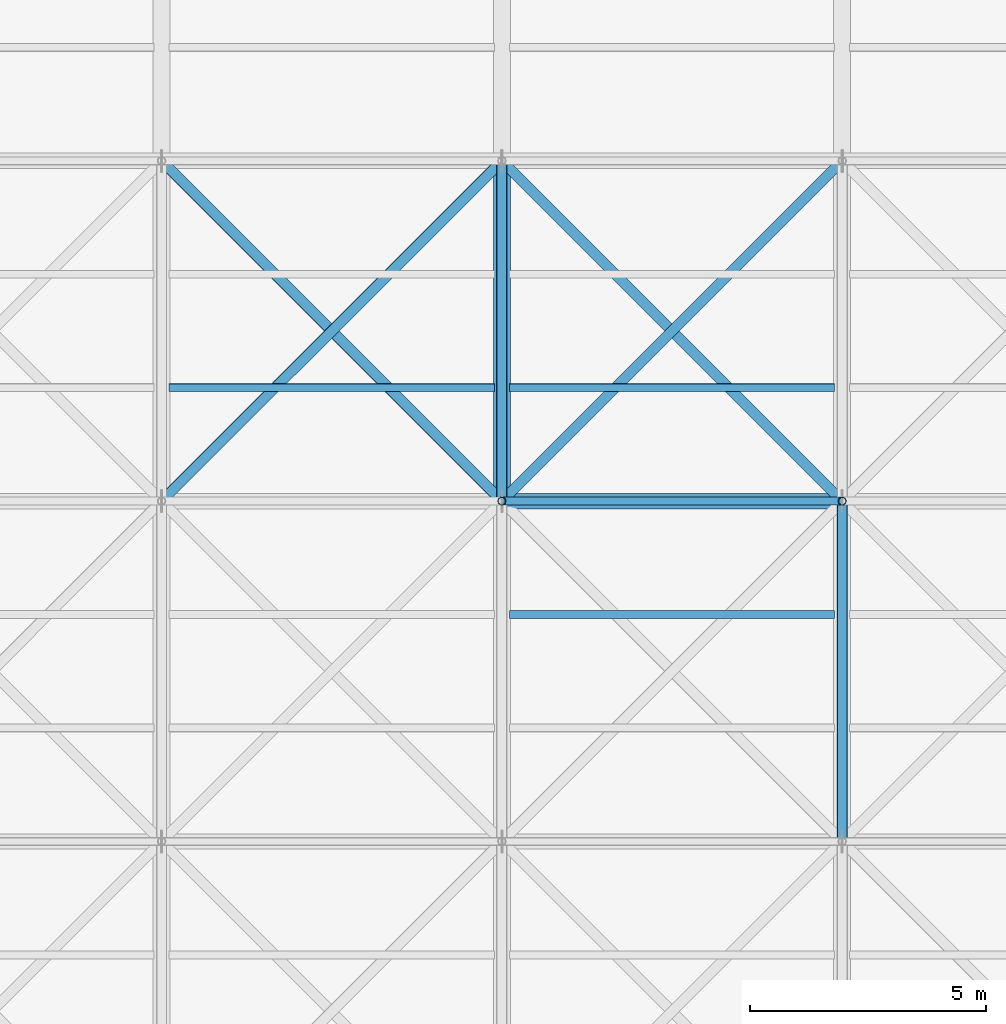
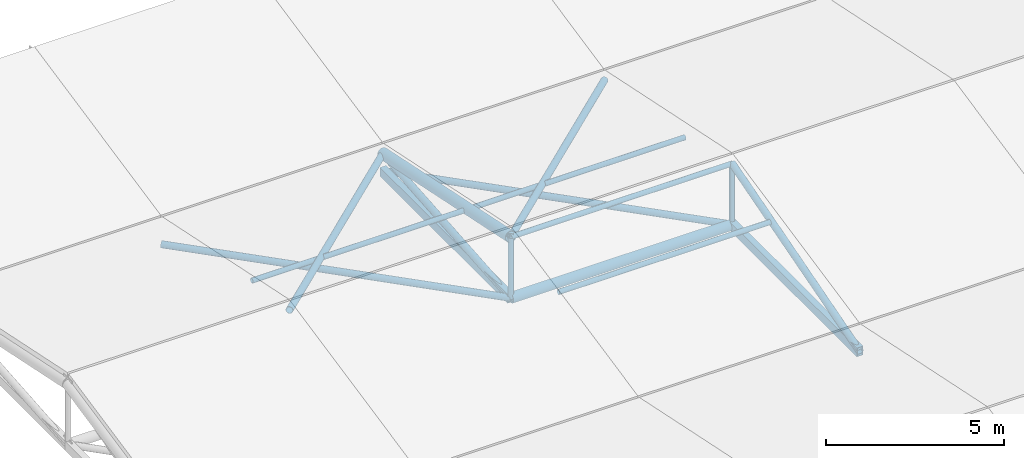
# One storey, part 25 of 72: 13 members, 3 beams.
"""IFC4 building model written with IfcOpenShell, lengths in metres."""

from ifc_helpers import new_model, si_unit, direction, frame, origin, origin_2d, place, context, subcontext, project, spatial, hollow_rectangle, hollow_circle, extrude, material, material_profile, profile_set, type_object, element, save


model = new_model("IFC4")

# Units and contexts
model_context = context("Model", 3, precision=1e-05, world=origin(), true_north=direction((0.0, 1.0)))
body_context = subcontext(model_context, "Body", "Model", "MODEL_VIEW")
ifc_project = project(units=[si_unit("LENGTHUNIT", "METRE"), si_unit("AREAUNIT", "SQUARE_METRE"), si_unit("VOLUMEUNIT", "CUBIC_METRE"), si_unit("PLANEANGLEUNIT", "RADIAN"), si_unit("MASSUNIT", "GRAM", prefix="KILO")], contexts=[model_context])

# Site, building, storey
site_placement = place(None, origin())
site = spatial("IfcSite", under=ifc_project, at=site_placement, CompositionType="ELEMENT")
building_placement = place(site_placement, origin())
building = spatial("IfcBuilding", under=site, at=building_placement, Name="Vaelcorin Mobility Hub", CompositionType="ELEMENT")
storey_placement = place(building_placement, frame((0.0, 0.0, 25.800048828125)))
storey = spatial("IfcBuildingStorey", under=building, at=storey_placement, Name="RF", CompositionType="ELEMENT", Elevation=25.800048828125)

# Members
ifc_material = material(Name="Steel ASTM A500 Grade C", Category="steel")
ifc_material_profile_1 = material_profile(ifc_material, hollow_circle(Radius=0.161865234375, WallThickness=0.0126953125, at=origin_2d()), Name="HSS12.750X0.500")
ifc_profile_set_1 = profile_set([ifc_material_profile_1], Name="Steel ASTM A500 Grade C")
member_type_1 = type_object("IfcMemberType", Name="SF-CHORD-12", PredefinedType="CHORD", material=ifc_profile_set_1)
member_1_placement = place(storey_placement, frame((57.60009765625, 105.60009765625, -2.10009765625), z_axis=(1.0, 0.0, 0.0), x_axis=(0.0, 1.0, 0.0)))
element("IfcMember", 1, at=member_1_placement, inside=storey, type_object=member_type_1, Name="Sports Truss Lower Tie Strut 4-3", PredefinedType="CHORD", context=body_context, shape_type="SweptSolid", body=[
    extrude(hollow_circle(Radius=0.161865234375, WallThickness=0.0126953125, at=origin_2d()), origin(), (0.0, 0.0, 1.0), 7.199951171875),
])
ifc_material_profile_2 = material_profile(ifc_material, hollow_circle(Radius=0.109619140625, WallThickness=0.009521484375, at=origin_2d()), Name="HSS8.625X0.375")
ifc_profile_set_2 = profile_set([ifc_material_profile_2], Name="Steel ASTM A500 Grade C")
member_type_2 = type_object("IfcMemberType", Name="SF-DIAG-8", PredefinedType="BRACE", material=ifc_profile_set_2)
member_2_placement = place(storey_placement, frame((50.39990234375, 105.60009765625, 0.0), z_axis=(0.699568856162, 0.699545135531, -0.145739558262), x_axis=(-0.70709479277, 0.7071187694, 0.0)))
element("IfcMember", 2, at=member_2_placement, inside=storey, type_object=member_type_2, Name="Sports Roof Space-Truss Plan Brace 3-4", PredefinedType="BRACE", context=body_context, shape_type="SweptSolid", body=[
    extrude(hollow_circle(Radius=0.109619140625, WallThickness=0.009521484375, at=origin_2d()), origin(), (0.0, 0.0, 1.0), 10.292236328125),
])
member_3_placement = place(storey_placement, frame((57.60009765625, 105.60009765625, -2.10009765625), z_axis=(-0.7071187694, 0.70709479277, 0.0), x_axis=(-0.70709479277, -0.7071187694, 0.0)))
element("IfcMember", 3, at=member_3_placement, inside=storey, type_object=member_type_2, Name="Sports Truss Lower Plan Brace 3-4", PredefinedType="BRACE", context=body_context, shape_type="SweptSolid", body=[
    extrude(hollow_circle(Radius=0.109619140625, WallThickness=0.009521484375, at=origin_2d()), origin(), (0.0, 0.0, 1.0), 10.182373046875),
])
member_4_placement = place(storey_placement, frame((57.60009765625, 105.60009765625, 0.0), z_axis=(0.699556744026, 0.699556744026, -0.145741976715), x_axis=(-0.707106781187, 0.707106781187, 0.0)))
element("IfcMember", 4, at=member_4_placement, inside=storey, type_object=member_type_2, Name="Sports Roof Space-Truss Plan Brace 4-4", PredefinedType="BRACE", context=body_context, shape_type="SweptSolid", body=[
    extrude(hollow_circle(Radius=0.109619140625, WallThickness=0.009521484375, at=origin_2d()), origin(), (0.0, 0.0, 1.0), 10.292236328125),
])
member_5_placement = place(storey_placement, frame((64.800048828125, 105.60009765625, -2.10009765625), z_axis=(-0.707106781187, 0.707106781187, 0.0), x_axis=(-0.707106781187, -0.707106781187, 0.0)))
element("IfcMember", 5, at=member_5_placement, inside=storey, type_object=member_type_2, Name="Sports Truss Lower Plan Brace 4-4", PredefinedType="BRACE", context=body_context, shape_type="SweptSolid", body=[
    extrude(hollow_circle(Radius=0.109619140625, WallThickness=0.009521484375, at=origin_2d()), origin(), (0.0, 0.0, 1.0), 10.182373046875),
])
ifc_material_profile_3 = material_profile(ifc_material, hollow_circle(Radius=0.084228515625, WallThickness=0.0078125, at=origin_2d()), Name="HSS6.625X0.312")
ifc_profile_set_3 = profile_set([ifc_material_profile_3], Name="Steel ASTM A500 Grade C")
member_type_3 = type_object("IfcMemberType", Name="SF-PURL-6", PredefinedType="PURLIN", material=ifc_profile_set_3)
member_6_placement = place(storey_placement, frame((50.56005859375, 108.0, -0.5), z_axis=(1.0, 0.0, 0.0), x_axis=(0.0, 1.0, 0.0)))
element("IfcMember", 6, at=member_6_placement, inside=storey, type_object=member_type_3, Name="Sports Roof Secondary Purlin 3-4-1", PredefinedType="PURLIN", context=body_context, shape_type="SweptSolid", body=[
    extrude(hollow_circle(Radius=0.084228515625, WallThickness=0.0078125, at=origin_2d()), origin(), (0.0, 0.0, 1.0), 6.8798828125),
])
member_7_placement = place(storey_placement, frame((57.60009765625, 105.60009765625, 0.0), z_axis=(1.0, 0.0, 0.0), x_axis=(0.0, 1.0, 0.0)))
element("IfcMember", 7, at=member_7_placement, inside=storey, type_object=member_type_3, Name="Sports Pavilion Roof Purlin 4-3", PredefinedType="PURLIN", context=body_context, shape_type="SweptSolid", body=[
    extrude(hollow_circle(Radius=0.084228515625, WallThickness=0.0078125, at=origin_2d()), origin(), (0.0, 0.0, 1.0), 7.199951171875),
])
for number, where, z_axis, x_axis, name in (
    (8, (57.760009765625, 103.199951171875, -0.5), (1.0, 0.0, 0.0), (0.0, 1.0, 0.0), "Sports Roof Secondary Purlin 4-3-2"),
    (9, (57.760009765625, 108.0, -0.5), (1.0, 0.0, 0.0), (0.0, 1.0, 0.0), "Sports Roof Secondary Purlin 4-4-1"),
):
    element("IfcMember", number, at=place(storey_placement, frame(where, z_axis=z_axis, x_axis=x_axis)), inside=storey, type_object=member_type_3, Name=name, PredefinedType="PURLIN", context=body_context, shape_type="SweptSolid", body=[
        extrude(hollow_circle(Radius=0.084228515625, WallThickness=0.0078125, at=origin_2d()), origin(), (0.0, 0.0, 1.0), 6.8798828125),
    ])

# Beams
ifc_material_profile_4 = material_profile(ifc_material, hollow_circle(Radius=0.177734375, WallThickness=0.0126953125, at=origin_2d()), Name="HSS14.000X0.500")
ifc_profile_set_4 = profile_set([ifc_material_profile_4], Name="Steel ASTM A500 Grade C")
beam_type_1 = type_object("IfcBeamType", Name="TR-CHORD-14", PredefinedType="BEAM", material=ifc_profile_set_4)
beam_1_placement = place(storey_placement, frame((57.60009765625, 105.60009765625, 0.0), z_axis=(0.0, 0.978980143565, -0.203955579738), x_axis=(-1.0, 0.0, 0.0)))
element("IfcBeam", 10, at=beam_1_placement, inside=storey, type_object=beam_type_1, Name="Sports Pavilion Roof Truss Upper Chord 3-4", PredefinedType="BEAM", context=body_context, shape_type="SweptSolid", body=[
    extrude(hollow_circle(Radius=0.177734375, WallThickness=0.0126953125, at=origin_2d()), origin(), (0.0, 0.0, 1.0), 7.3544921875),
])
ifc_material_profile_5 = material_profile(ifc_material, hollow_rectangle(XDim=0.203125, YDim=0.3046875, WallThickness=0.01171875, at=origin_2d()), Name="HSS12X8X0.500")
ifc_profile_set_5 = profile_set([ifc_material_profile_5], Name="Steel ASTM A500 Grade C")
beam_type_2 = type_object("IfcBeamType", Name="TR-CHORD-RHS12", PredefinedType="BEAM", material=ifc_profile_set_5)
beam_2_placement = place(storey_placement, frame((57.60009765625, 105.60009765625, -2.10009765625), z_axis=(0.0, 1.0, 0.0), x_axis=(-1.0, 0.0, 0.0)))
element("IfcBeam", 11, at=beam_2_placement, inside=storey, type_object=beam_type_2, Name="Sports Pavilion Roof Truss Bottom Chord 3-4", PredefinedType="BEAM", context=body_context, shape_type="SweptSolid", body=[
    extrude(hollow_rectangle(XDim=0.203125, YDim=0.3046875, WallThickness=0.01171875, at=origin_2d()), origin(), (0.0, 0.0, 1.0), 7.199951171875),
])
beam_3_placement = place(storey_placement, frame((64.800048828125, 98.39990234375, -2.10009765625), z_axis=(0.0, 1.0, 0.0), x_axis=(-1.0, 0.0, 0.0)))
element("IfcBeam", 12, at=beam_3_placement, inside=storey, type_object=beam_type_2, Name="Sports Pavilion Roof Truss Bottom Chord 4-3", PredefinedType="BEAM", context=body_context, shape_type="SweptSolid", body=[
    extrude(hollow_rectangle(XDim=0.203125, YDim=0.3046875, WallThickness=0.01171875, at=origin_2d()), origin(), (0.0, 0.0, 1.0), 7.2001953125),
])

# Members
ifc_material_profile_6 = material_profile(ifc_material, hollow_circle(Radius=0.084228515625, WallThickness=0.0078125, at=origin_2d()), Name="HSS6.625X0.312")
ifc_profile_set_6 = profile_set([ifc_material_profile_6], Name="Steel ASTM A500 Grade C")
member_type_4 = type_object("IfcMemberType", Name="TR-POST-6", PredefinedType="POST", material=ifc_profile_set_6)
for number, where, z_axis, x_axis, name in (
    (13, (57.60009765625, 105.60009765625, -2.10009765625), (0.0, 0.0, 1.0), (1.0, 0.0, 0.0), "Sports Pavilion Roof Truss Post 3-3"),
    (14, (64.800048828125, 105.60009765625, -2.10009765625), (0.0, 0.0, 1.0), (1.0, 0.0, 0.0), "Sports Pavilion Roof Truss Post 4-3"),
):
    element("IfcMember", number, at=place(storey_placement, frame(where, z_axis=z_axis, x_axis=x_axis)), inside=storey, type_object=member_type_4, Name=name, PredefinedType="POST", context=body_context, shape_type="SweptSolid", body=[
        extrude(hollow_circle(Radius=0.084228515625, WallThickness=0.0078125, at=origin_2d()), origin(), (0.0, 0.0, 1.0), 2.10009765625),
    ])
ifc_material_profile_7 = material_profile(ifc_material, hollow_circle(Radius=0.109619140625, WallThickness=0.009521484375, at=origin_2d()), Name="HSS8.625X0.375")
ifc_profile_set_7 = profile_set([ifc_material_profile_7], Name="Steel ASTM A500 Grade C")
member_type_5 = type_object("IfcMemberType", Name="TR-WEB-8", PredefinedType="BRACE", material=ifc_profile_set_7)
member_8_placement = place(storey_placement, frame((57.60009765625, 105.60009765625, -2.10009765625), z_axis=(0.0, 0.996544592923, 0.083059462528), x_axis=(-1.0, 0.0, 0.0)))
element("IfcMember", 15, at=member_8_placement, inside=storey, type_object=member_type_5, Name="Sports Pavilion Roof Truss Diagonal 3-4", PredefinedType="BRACE", context=body_context, shape_type="SweptSolid", body=[
    extrude(hollow_circle(Radius=0.109619140625, WallThickness=0.009521484375, at=origin_2d()), origin(), (0.0, 0.0, 1.0), 7.224853515625),
])
member_9_placement = place(storey_placement, frame((64.800048828125, 98.39990234375, -2.10009765625), z_axis=(0.0, 0.959998541695, 0.280004999853), x_axis=(-1.0, 0.0, 0.0)))
element("IfcMember", 16, at=member_9_placement, inside=storey, type_object=member_type_5, Name="Sports Pavilion Roof Truss Diagonal 4-3", PredefinedType="BRACE", context=body_context, shape_type="SweptSolid", body=[
    extrude(hollow_circle(Radius=0.109619140625, WallThickness=0.009521484375, at=origin_2d()), origin(), (0.0, 0.0, 1.0), 7.500244140625),
])

save(model, "model.ifc")
